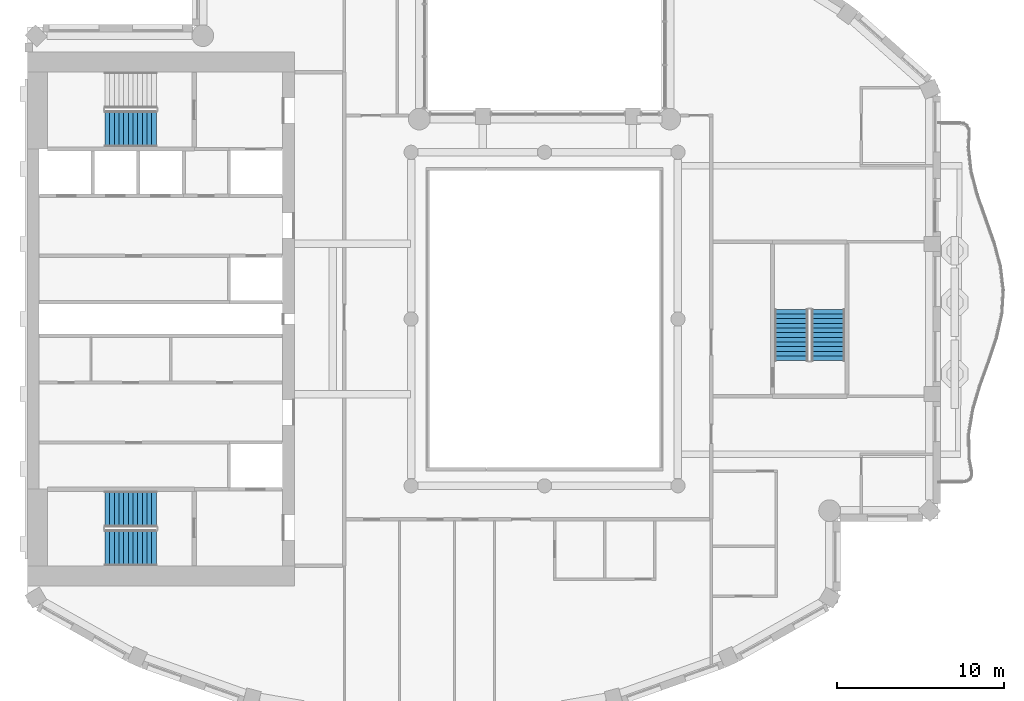
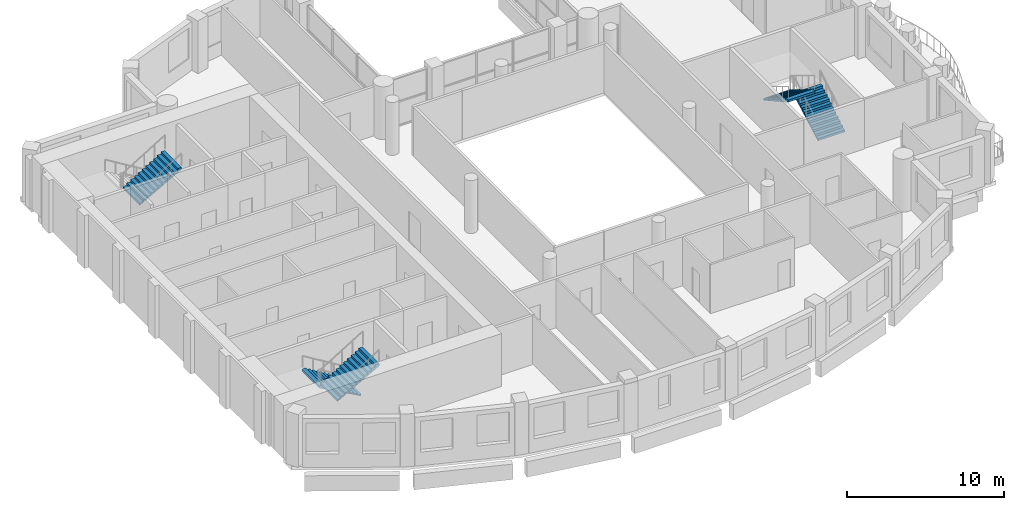
# One storey, part 8 of 14: 5 stair flights, 3 elements without a shape of their own.
"""IFC4 building model written with IfcOpenShell, lengths in metres."""

from ifc_helpers import new_model, si_unit, direction, frame, origin, place, context, subcontext, project, spatial, triangles, material, type_object, element, aggregate, save


model = new_model("IFC4")

# Units and contexts
model_context = context("Model", 3, precision=1e-05, world=origin(), true_north=direction((0.0, 1.0)))
body_context = subcontext(model_context, "Body", "Model", "MODEL_VIEW")
ifc_project = project(units=[si_unit("LENGTHUNIT", "METRE"), si_unit("AREAUNIT", "SQUARE_METRE"), si_unit("VOLUMEUNIT", "CUBIC_METRE"), si_unit("PLANEANGLEUNIT", "RADIAN"), si_unit("MASSUNIT", "GRAM", prefix="KILO")], contexts=[model_context])

# Site, building, storey
site_placement = place(None, origin())
site = spatial("IfcSite", under=ifc_project, at=site_placement, CompositionType="ELEMENT")
building_placement = place(site_placement, origin())
building = spatial("IfcBuilding", under=site, at=building_placement, Name="Cypress Arch Tower", CompositionType="ELEMENT")
storey_placement = place(building_placement, frame((0.0, 0.0, 280.300048828125)))
storey = spatial("IfcBuildingStorey", under=building, at=storey_placement, Name="L63", CompositionType="ELEMENT", Elevation=280.300048828125)

# Stair, stair flights
ifc_material_1 = material(Name="Concrete C40/50", Category="concrete")
stair_type_1 = type_object("IfcStairType", Name="Exit stair ES1708-200", PredefinedType="HALF_TURN_STAIR", material=ifc_material_1)
stair_1_placement = place(storey_placement, origin())
stair_1 = element("IfcStair", 1, at=stair_1_placement, inside=storey, type_object=stair_type_1, Name="L63 Exit stair C", PredefinedType="HALF_TURN_STAIR")
ifc_material_2 = material(Name="Concrete C40/50", Category="concrete")
stair_flight_type_1 = type_object("IfcStairFlightType", Name="Exit stair flight ES1708-200", PredefinedType="STRAIGHT", material=ifc_material_2)
stair_flight_1_placement = place(storey_placement, frame((18.0, -2.5, 0.0), z_axis=(0.0, 0.0, 1.0), x_axis=(0.0, 1.0, 0.0)))
stair_flight_1 = element("IfcStairFlight", 2, at=stair_flight_1_placement, type_object=stair_flight_type_1, Name="C flight 1", NumberOfRisers=12, NumberOfTreads=11, PredefinedType="STRAIGHT", RiserHeight=0.170833333, TreadLength=0.28, context=body_context, shape_type="Tessellation", body=[
    triangles([(0.0, -1.0, 0.0), (0.0, -1.0, 0.1708984375), (0.280029296875, -1.0, 0.1708984375), (0.280029296875, -1.0, 0.341552734375), (0.56005859375, -1.0, 0.341552734375), (0.56005859375, -1.0, 0.512451171875), (0.840087890625, -1.0, 0.512451171875), (0.840087890625, -1.0, 0.683349609375), (1.1201171875, -1.0, 0.683349609375), (1.1201171875, -1.0, 0.854248046875), (1.39990234375, -1.0, 0.854248046875), (1.39990234375, -1.0, 1.02490234375), (1.679931640625, -1.0, 1.02490234375), (1.679931640625, -1.0, 1.19580078125), (1.9599609375, -1.0, 1.19580078125), (1.9599609375, -1.0, 1.36669921875), (2.239990234375, -1.0, 1.36669921875), (2.239990234375, -1.0, 1.53759765625), (2.52001953125, -1.0, 1.53759765625), (2.52001953125, -1.0, 1.708251953125), (2.800048828125, -1.0, 1.708251953125), (2.800048828125, -1.0, 1.879150390625), (3.080078125, -1.0, 1.879150390625), (3.080078125, -1.0, 1.70361328125), (3.080078125, 1.0, 1.70361328125), (3.080078125, 1.0, 1.879150390625), (2.800048828125, 1.0, 1.879150390625), (2.800048828125, 1.0, 1.708251953125), (2.52001953125, 1.0, 1.708251953125), (2.52001953125, 1.0, 1.53759765625), (2.239990234375, 1.0, 1.53759765625), (2.239990234375, 1.0, 1.36669921875), (1.9599609375, 1.0, 1.36669921875), (1.9599609375, 1.0, 1.19580078125), (1.679931640625, 1.0, 1.19580078125), (1.679931640625, 1.0, 1.02490234375), (1.39990234375, 1.0, 1.02490234375), (1.39990234375, 1.0, 0.854248046875), (1.1201171875, 1.0, 0.854248046875), (1.1201171875, 1.0, 0.683349609375), (0.840087890625, 1.0, 0.683349609375), (0.840087890625, 1.0, 0.512451171875), (0.56005859375, 1.0, 0.512451171875), (0.56005859375, 1.0, 0.341552734375), (0.280029296875, 1.0, 0.341552734375), (0.280029296875, 1.0, 0.1708984375), (0.0, 1.0, 0.1708984375), (0.0, 1.0, 0.0), (3.080078125, 0.0, 1.879150390625), (3.080078125, 0.0, 1.70361328125), (2.800048828125, 0.0, 1.879150390625), (2.800048828125, 0.0, 1.708251953125), (2.52001953125, 0.0, 1.708251953125), (2.52001953125, 0.0, 1.53759765625), (2.239990234375, 0.0, 1.53759765625), (2.239990234375, 0.0, 1.36669921875), (1.9599609375, 0.0, 1.36669921875), (1.9599609375, 0.0, 1.19580078125), (1.679931640625, 0.0, 1.19580078125), (1.679931640625, 0.0, 1.02490234375), (1.39990234375, 0.0, 1.02490234375), (1.39990234375, 0.0, 0.854248046875), (1.1201171875, 0.0, 0.854248046875), (1.1201171875, 0.0, 0.683349609375), (0.840087890625, 0.0, 0.683349609375), (0.840087890625, 0.0, 0.512451171875), (0.56005859375, 0.0, 0.512451171875), (0.56005859375, 0.0, 0.341552734375), (0.280029296875, 0.0, 0.341552734375), (0.280029296875, 0.0, 0.1708984375), (0.0, 0.0, 0.1708984375), (0.0, 0.0, 0.0)], [[24, 23, 22], [11, 10, 9], [19, 18, 17], [17, 16, 15], [15, 14, 13], [9, 8, 7], [7, 6, 5], [3, 2, 1], [21, 20, 19], [13, 12, 11], [5, 4, 3], [24, 22, 21], [24, 21, 19], [24, 19, 17], [24, 17, 15], [24, 15, 13], [24, 13, 11], [24, 11, 9], [24, 9, 7], [24, 7, 5], [1, 24, 5], [5, 3, 1], [25, 27, 26], [38, 40, 39], [30, 32, 31], [32, 34, 33], [34, 36, 35], [40, 42, 41], [42, 44, 43], [46, 48, 47], [28, 30, 29], [36, 38, 37], [44, 46, 45], [25, 28, 27], [25, 30, 28], [25, 32, 30], [25, 34, 32], [25, 36, 34], [25, 38, 36], [25, 40, 38], [25, 42, 40], [25, 44, 42], [48, 44, 25], [44, 48, 46], [50, 49, 23], [50, 23, 24], [25, 26, 49], [25, 49, 50], [49, 51, 22], [49, 22, 23], [26, 27, 51], [26, 51, 49], [51, 52, 21], [51, 21, 22], [27, 28, 52], [27, 52, 51], [52, 53, 20], [52, 20, 21], [28, 29, 53], [28, 53, 52], [53, 54, 19], [53, 19, 20], [29, 30, 54], [29, 54, 53], [54, 55, 18], [54, 18, 19], [30, 31, 55], [30, 55, 54], [55, 56, 17], [55, 17, 18], [31, 32, 56], [31, 56, 55], [56, 57, 16], [56, 16, 17], [32, 33, 57], [32, 57, 56], [57, 58, 15], [57, 15, 16], [33, 34, 58], [33, 58, 57], [58, 59, 14], [58, 14, 15], [34, 35, 59], [34, 59, 58], [59, 60, 13], [59, 13, 14], [35, 36, 60], [35, 60, 59], [60, 61, 12], [60, 12, 13], [36, 37, 61], [36, 61, 60], [61, 62, 11], [61, 11, 12], [37, 38, 62], [37, 62, 61], [62, 63, 10], [62, 10, 11], [38, 39, 63], [38, 63, 62], [63, 64, 9], [63, 9, 10], [39, 40, 64], [39, 64, 63], [64, 65, 8], [64, 8, 9], [40, 41, 65], [40, 65, 64], [65, 66, 7], [65, 7, 8], [41, 42, 66], [41, 66, 65], [66, 67, 6], [66, 6, 7], [42, 43, 67], [42, 67, 66], [67, 68, 5], [67, 5, 6], [43, 44, 68], [43, 68, 67], [68, 69, 4], [68, 4, 5], [44, 45, 69], [44, 69, 68], [69, 70, 3], [69, 3, 4], [45, 46, 70], [45, 70, 69], [70, 71, 2], [70, 2, 3], [46, 47, 71], [46, 71, 70], [71, 72, 1], [71, 1, 2], [47, 48, 72], [47, 72, 71], [72, 50, 24], [72, 24, 1], [48, 25, 50], [48, 50, 72]], closed=True),
])
stair_flight_2_placement = place(storey_placement, frame((15.800048828125, 0.580078125, 2.050048828125), z_axis=(0.0, 0.0, 1.0), x_axis=(0.0, -1.0, 0.0)))
stair_flight_2 = element("IfcStairFlight", 3, at=stair_flight_2_placement, type_object=stair_flight_type_1, Name="C flight 2", NumberOfRisers=12, NumberOfTreads=11, PredefinedType="STRAIGHT", RiserHeight=0.170833333, TreadLength=0.28, context=body_context, shape_type="Tessellation", body=[
    triangles([(0.0, -1.0, 0.0), (0.0, -1.0, 0.1708984375), (0.280029296875, -1.0, 0.1708984375), (0.280029296875, -1.0, 0.341552734375), (0.56005859375, -1.0, 0.341552734375), (0.56005859375, -1.0, 0.512451171875), (0.840087890625, -1.0, 0.512451171875), (0.840087890625, -1.0, 0.683349609375), (1.1201171875, -1.0, 0.683349609375), (1.1201171875, -1.0, 0.854248046875), (1.39990234375, -1.0, 0.854248046875), (1.39990234375, -1.0, 1.02490234375), (1.679931640625, -1.0, 1.02490234375), (1.679931640625, -1.0, 1.19580078125), (1.9599609375, -1.0, 1.19580078125), (1.9599609375, -1.0, 1.36669921875), (2.239990234375, -1.0, 1.36669921875), (2.239990234375, -1.0, 1.53759765625), (2.52001953125, -1.0, 1.53759765625), (2.52001953125, -1.0, 1.708251953125), (2.800048828125, -1.0, 1.708251953125), (2.800048828125, -1.0, 1.879150390625), (3.080078125, -1.0, 1.879150390625), (3.080078125, -1.0, 1.70361328125), (3.080078125, 1.0, 1.70361328125), (3.080078125, 1.0, 1.879150390625), (2.800048828125, 1.0, 1.879150390625), (2.800048828125, 1.0, 1.708251953125), (2.52001953125, 1.0, 1.708251953125), (2.52001953125, 1.0, 1.53759765625), (2.239990234375, 1.0, 1.53759765625), (2.239990234375, 1.0, 1.36669921875), (1.9599609375, 1.0, 1.36669921875), (1.9599609375, 1.0, 1.19580078125), (1.679931640625, 1.0, 1.19580078125), (1.679931640625, 1.0, 1.02490234375), (1.39990234375, 1.0, 1.02490234375), (1.39990234375, 1.0, 0.854248046875), (1.1201171875, 1.0, 0.854248046875), (1.1201171875, 1.0, 0.683349609375), (0.840087890625, 1.0, 0.683349609375), (0.840087890625, 1.0, 0.512451171875), (0.56005859375, 1.0, 0.512451171875), (0.56005859375, 1.0, 0.341552734375), (0.280029296875, 1.0, 0.341552734375), (0.280029296875, 1.0, 0.1708984375), (0.0, 1.0, 0.1708984375), (0.0, 1.0, 0.0), (3.080078125, 0.0, 1.879150390625), (3.080078125, 0.0, 1.70361328125), (2.800048828125, 0.0, 1.879150390625), (2.800048828125, 0.0, 1.708251953125), (2.52001953125, 0.0, 1.708251953125), (2.52001953125, 0.0, 1.53759765625), (2.239990234375, 0.0, 1.53759765625), (2.239990234375, 0.0, 1.36669921875), (1.9599609375, 0.0, 1.36669921875), (1.9599609375, 0.0, 1.19580078125), (1.679931640625, 0.0, 1.19580078125), (1.679931640625, 0.0, 1.02490234375), (1.39990234375, 0.0, 1.02490234375), (1.39990234375, 0.0, 0.854248046875), (1.1201171875, 0.0, 0.854248046875), (1.1201171875, 0.0, 0.683349609375), (0.840087890625, 0.0, 0.683349609375), (0.840087890625, 0.0, 0.512451171875), (0.56005859375, 0.0, 0.512451171875), (0.56005859375, 0.0, 0.341552734375), (0.280029296875, 0.0, 0.341552734375), (0.280029296875, 0.0, 0.1708984375), (0.0, 0.0, 0.1708984375), (0.0, 0.0, 0.0)], [[24, 23, 22], [11, 10, 9], [19, 18, 17], [17, 16, 15], [15, 14, 13], [9, 8, 7], [7, 6, 5], [3, 2, 1], [21, 20, 19], [13, 12, 11], [5, 4, 3], [24, 22, 21], [24, 21, 19], [24, 19, 17], [24, 17, 15], [24, 15, 13], [24, 13, 11], [24, 11, 9], [24, 9, 7], [24, 7, 5], [1, 24, 5], [5, 3, 1], [25, 27, 26], [38, 40, 39], [30, 32, 31], [32, 34, 33], [34, 36, 35], [40, 42, 41], [42, 44, 43], [46, 48, 47], [28, 30, 29], [36, 38, 37], [44, 46, 45], [25, 28, 27], [25, 30, 28], [25, 32, 30], [25, 34, 32], [25, 36, 34], [25, 38, 36], [25, 40, 38], [25, 42, 40], [25, 44, 42], [48, 44, 25], [44, 48, 46], [50, 49, 23], [50, 23, 24], [25, 26, 49], [25, 49, 50], [49, 51, 22], [49, 22, 23], [26, 27, 51], [26, 51, 49], [51, 52, 21], [51, 21, 22], [27, 28, 52], [27, 52, 51], [52, 53, 20], [52, 20, 21], [28, 29, 53], [28, 53, 52], [53, 54, 19], [53, 19, 20], [29, 30, 54], [29, 54, 53], [54, 55, 18], [54, 18, 19], [30, 31, 55], [30, 55, 54], [55, 56, 17], [55, 17, 18], [31, 32, 56], [31, 56, 55], [56, 57, 16], [56, 16, 17], [32, 33, 57], [32, 57, 56], [57, 58, 15], [57, 15, 16], [33, 34, 58], [33, 58, 57], [58, 59, 14], [58, 14, 15], [34, 35, 59], [34, 59, 58], [59, 60, 13], [59, 13, 14], [35, 36, 60], [35, 60, 59], [60, 61, 12], [60, 12, 13], [36, 37, 61], [36, 61, 60], [61, 62, 11], [61, 11, 12], [37, 38, 62], [37, 62, 61], [62, 63, 10], [62, 10, 11], [38, 39, 63], [38, 63, 62], [63, 64, 9], [63, 9, 10], [39, 40, 64], [39, 64, 63], [64, 65, 8], [64, 8, 9], [40, 41, 65], [40, 65, 64], [65, 66, 7], [65, 7, 8], [41, 42, 66], [41, 66, 65], [66, 67, 6], [66, 6, 7], [42, 43, 67], [42, 67, 66], [67, 68, 5], [67, 5, 6], [43, 44, 68], [43, 68, 67], [68, 69, 4], [68, 4, 5], [44, 45, 69], [44, 69, 68], [69, 70, 3], [69, 3, 4], [45, 46, 70], [45, 70, 69], [70, 71, 2], [70, 2, 3], [46, 47, 71], [46, 71, 70], [71, 72, 1], [71, 1, 2], [47, 48, 72], [47, 72, 71], [72, 50, 24], [72, 24, 1], [48, 25, 50], [48, 50, 72]], closed=True),
])
aggregate(stair_1, [stair_flight_1, stair_flight_2])

ifc_material_3 = material(Name="Concrete C40/50", Category="concrete")
stair_type_2 = type_object("IfcStairType", Name="Exit stair ES1708-215", PredefinedType="HALF_TURN_STAIR", material=ifc_material_3)
stair_2_placement = place(storey_placement, origin())
stair_2 = element("IfcStair", 4, at=stair_2_placement, inside=storey, type_object=stair_type_2, Name="L63 Exit stair A", PredefinedType="HALF_TURN_STAIR")
ifc_material_4 = material(Name="Concrete C40/50", Category="concrete")
stair_flight_type_2 = type_object("IfcStairFlightType", Name="Exit stair flight ES1708-215", PredefinedType="STRAIGHT", material=ifc_material_4)
stair_flight_3_placement = place(storey_placement, frame((-22.27490234375, -11.39990234375, 0.0), z_axis=(0.0, 0.0, 1.0), x_axis=(-1.0, 0.0, 0.0)))
stair_flight_3 = element("IfcStairFlight", 5, at=stair_flight_3_placement, type_object=stair_flight_type_2, Name="A flight 1", NumberOfRisers=12, NumberOfTreads=11, PredefinedType="STRAIGHT", RiserHeight=0.170833333, TreadLength=0.28, context=body_context, shape_type="Tessellation", body=[
    triangles([(0.0, -1.074951171875, 0.0), (0.000244140625, -1.074951171875, 0.01904296875), (0.000244140625, -1.074951171875, 0.0380859375), (0.00048828125, -1.074951171875, 0.056884765625), (0.00048828125, -1.074951171875, 0.075927734375), (0.00048828125, -1.074951171875, 0.094970703125), (0.00048828125, -1.074951171875, 0.114013671875), (0.000244140625, -1.074951171875, 0.1328125), (0.000244140625, -1.074951171875, 0.15185546875), (0.0, -1.074951171875, 0.1708984375), (0.280029296875, -1.074951171875, 0.1708984375), (0.280029296875, -1.074951171875, 0.341552734375), (0.56005859375, -1.074951171875, 0.341552734375), (0.56005859375, -1.074951171875, 0.512451171875), (0.840087890625, -1.074951171875, 0.512451171875), (0.840087890625, -1.074951171875, 0.683349609375), (1.1201171875, -1.074951171875, 0.683349609375), (1.1201171875, -1.074951171875, 0.854248046875), (1.39990234375, -1.074951171875, 0.854248046875), (1.39990234375, -1.074951171875, 1.02490234375), (1.679931640625, -1.074951171875, 1.02490234375), (1.679931640625, -1.074951171875, 1.19580078125), (1.9599609375, -1.074951171875, 1.19580078125), (1.9599609375, -1.074951171875, 1.36669921875), (2.239990234375, -1.074951171875, 1.36669921875), (2.239990234375, -1.074951171875, 1.53759765625), (2.52001953125, -1.074951171875, 1.53759765625), (2.52001953125, -1.074951171875, 1.708251953125), (2.800048828125, -1.074951171875, 1.708251953125), (2.800048828125, -1.074951171875, 1.879150390625), (3.080078125, -1.074951171875, 1.879150390625), (3.079833984375, -1.074951171875, 1.859619140625), (3.079833984375, -1.074951171875, 1.840087890625), (3.07958984375, -1.074951171875, 1.820556640625), (3.07958984375, -1.074951171875, 1.801025390625), (3.07958984375, -1.074951171875, 1.78173828125), (3.07958984375, -1.074951171875, 1.76220703125), (3.079833984375, -1.074951171875, 1.74267578125), (3.079833984375, -1.074951171875, 1.72314453125), (3.080078125, -1.074951171875, 1.70361328125), (3.080078125, 1.074951171875, 1.70361328125), (3.079833984375, 1.074951171875, 1.72314453125), (3.079833984375, 1.074951171875, 1.74267578125), (3.07958984375, 1.074951171875, 1.76220703125), (3.07958984375, 1.074951171875, 1.78173828125), (3.07958984375, 1.074951171875, 1.801025390625), (3.07958984375, 1.074951171875, 1.820556640625), (3.079833984375, 1.074951171875, 1.840087890625), (3.079833984375, 1.074951171875, 1.859619140625), (3.080078125, 1.074951171875, 1.879150390625), (2.800048828125, 1.074951171875, 1.879150390625), (2.800048828125, 1.074951171875, 1.708251953125), (2.52001953125, 1.074951171875, 1.708251953125), (2.52001953125, 1.074951171875, 1.53759765625), (2.239990234375, 1.074951171875, 1.53759765625), (2.239990234375, 1.074951171875, 1.36669921875), (1.9599609375, 1.074951171875, 1.36669921875), (1.9599609375, 1.074951171875, 1.19580078125), (1.679931640625, 1.074951171875, 1.19580078125), (1.679931640625, 1.074951171875, 1.02490234375), (1.39990234375, 1.074951171875, 1.02490234375), (1.39990234375, 1.074951171875, 0.854248046875), (1.1201171875, 1.074951171875, 0.854248046875), (1.1201171875, 1.074951171875, 0.683349609375), (0.840087890625, 1.074951171875, 0.683349609375), (0.840087890625, 1.074951171875, 0.512451171875), (0.56005859375, 1.074951171875, 0.512451171875), (0.56005859375, 1.074951171875, 0.341552734375), (0.280029296875, 1.074951171875, 0.341552734375), (0.280029296875, 1.074951171875, 0.1708984375), (0.0, 1.074951171875, 0.1708984375), (0.000244140625, 1.074951171875, 0.15185546875), (0.000244140625, 1.074951171875, 0.1328125), (0.00048828125, 1.074951171875, 0.114013671875), (0.00048828125, 1.074951171875, 0.094970703125), (0.00048828125, 1.074951171875, 0.075927734375), (0.00048828125, 1.074951171875, 0.056884765625), (0.000244140625, 1.074951171875, 0.0380859375), (0.000244140625, 1.074951171875, 0.01904296875), (0.0, 1.074951171875, 0.0)], [[40, 39, 30], [39, 38, 30], [38, 37, 30], [37, 36, 30], [36, 35, 30], [35, 34, 30], [34, 33, 30], [33, 32, 30], [32, 31, 30], [19, 18, 17], [27, 26, 25], [25, 24, 23], [23, 22, 21], [17, 16, 15], [15, 14, 13], [10, 9, 11], [9, 8, 11], [8, 7, 11], [7, 6, 11], [6, 5, 11], [5, 4, 11], [4, 3, 11], [3, 2, 11], [2, 1, 11], [29, 28, 27], [21, 20, 19], [13, 12, 11], [40, 30, 29], [40, 29, 27], [40, 27, 25], [40, 25, 23], [40, 23, 21], [40, 21, 19], [40, 19, 17], [40, 17, 15], [40, 15, 13], [1, 40, 13], [13, 11, 1], [41, 51, 42], [42, 51, 43], [43, 51, 44], [44, 51, 45], [45, 51, 46], [46, 51, 47], [47, 51, 48], [48, 51, 49], [49, 51, 50], [62, 64, 63], [54, 56, 55], [56, 58, 57], [58, 60, 59], [64, 66, 65], [66, 68, 67], [71, 70, 72], [72, 70, 73], [73, 70, 74], [74, 70, 75], [75, 70, 76], [76, 70, 77], [77, 70, 78], [78, 70, 79], [79, 70, 80], [52, 54, 53], [60, 62, 61], [68, 70, 69], [41, 52, 51], [41, 54, 52], [41, 56, 54], [41, 58, 56], [41, 60, 58], [41, 62, 60], [41, 64, 62], [41, 66, 64], [41, 68, 66], [80, 68, 41], [68, 80, 70], [41, 42, 39], [41, 39, 40], [42, 43, 38], [42, 38, 39], [43, 44, 37], [43, 37, 38], [44, 45, 36], [44, 36, 37], [45, 46, 35], [45, 35, 36], [46, 47, 34], [46, 34, 35], [47, 48, 33], [47, 33, 34], [48, 49, 32], [48, 32, 33], [49, 50, 31], [49, 31, 32], [50, 51, 30], [50, 30, 31], [51, 52, 29], [51, 29, 30], [52, 53, 28], [52, 28, 29], [53, 54, 27], [53, 27, 28], [54, 55, 26], [54, 26, 27], [55, 56, 25], [55, 25, 26], [56, 57, 24], [56, 24, 25], [57, 58, 23], [57, 23, 24], [58, 59, 22], [58, 22, 23], [59, 60, 21], [59, 21, 22], [60, 61, 20], [60, 20, 21], [61, 62, 19], [61, 19, 20], [62, 63, 18], [62, 18, 19], [63, 64, 17], [63, 17, 18], [64, 65, 16], [64, 16, 17], [65, 66, 15], [65, 15, 16], [66, 67, 14], [66, 14, 15], [67, 68, 13], [67, 13, 14], [68, 69, 12], [68, 12, 13], [69, 70, 11], [69, 11, 12], [70, 71, 10], [70, 10, 11], [71, 72, 9], [71, 9, 10], [72, 73, 8], [72, 8, 9], [73, 74, 7], [73, 7, 8], [74, 75, 6], [74, 6, 7], [75, 76, 5], [75, 5, 6], [76, 77, 4], [76, 4, 5], [77, 78, 3], [77, 3, 4], [78, 79, 2], [78, 2, 3], [79, 80, 1], [79, 1, 2], [80, 41, 40], [80, 40, 1]], closed=True),
])
stair_flight_4_placement = place(storey_placement, frame((-25.35498046875, -13.72509765625, 2.050048828125), z_axis=(0.0, 0.0, 1.0), x_axis=(1.0, 0.0, 0.0)))
stair_flight_4 = element("IfcStairFlight", 6, at=stair_flight_4_placement, type_object=stair_flight_type_2, Name="A flight 2", NumberOfRisers=12, NumberOfTreads=11, PredefinedType="STRAIGHT", RiserHeight=0.170833333, TreadLength=0.28, context=body_context, shape_type="Tessellation", body=[
    triangles([(0.0, -1.074951171875, 0.0), (0.000244140625, -1.074951171875, 0.01904296875), (0.000244140625, -1.074951171875, 0.0380859375), (0.00048828125, -1.074951171875, 0.056884765625), (0.00048828125, -1.074951171875, 0.075927734375), (0.00048828125, -1.074951171875, 0.094970703125), (0.00048828125, -1.074951171875, 0.114013671875), (0.000244140625, -1.074951171875, 0.1328125), (0.000244140625, -1.074951171875, 0.15185546875), (0.0, -1.074951171875, 0.1708984375), (0.280029296875, -1.074951171875, 0.1708984375), (0.280029296875, -1.074951171875, 0.341552734375), (0.56005859375, -1.074951171875, 0.341552734375), (0.56005859375, -1.074951171875, 0.512451171875), (0.840087890625, -1.074951171875, 0.512451171875), (0.840087890625, -1.074951171875, 0.683349609375), (1.1201171875, -1.074951171875, 0.683349609375), (1.1201171875, -1.074951171875, 0.854248046875), (1.39990234375, -1.074951171875, 0.854248046875), (1.39990234375, -1.074951171875, 1.02490234375), (1.679931640625, -1.074951171875, 1.02490234375), (1.679931640625, -1.074951171875, 1.19580078125), (1.9599609375, -1.074951171875, 1.19580078125), (1.9599609375, -1.074951171875, 1.36669921875), (2.239990234375, -1.074951171875, 1.36669921875), (2.239990234375, -1.074951171875, 1.53759765625), (2.52001953125, -1.074951171875, 1.53759765625), (2.52001953125, -1.074951171875, 1.708251953125), (2.800048828125, -1.074951171875, 1.708251953125), (2.800048828125, -1.074951171875, 1.879150390625), (3.080078125, -1.074951171875, 1.879150390625), (3.079833984375, -1.074951171875, 1.859619140625), (3.079833984375, -1.074951171875, 1.840087890625), (3.07958984375, -1.074951171875, 1.820556640625), (3.07958984375, -1.074951171875, 1.801025390625), (3.07958984375, -1.074951171875, 1.78173828125), (3.07958984375, -1.074951171875, 1.76220703125), (3.079833984375, -1.074951171875, 1.74267578125), (3.079833984375, -1.074951171875, 1.72314453125), (3.080078125, -1.074951171875, 1.70361328125), (3.080078125, 1.074951171875, 1.70361328125), (3.079833984375, 1.074951171875, 1.72314453125), (3.079833984375, 1.074951171875, 1.74267578125), (3.07958984375, 1.074951171875, 1.76220703125), (3.07958984375, 1.074951171875, 1.78173828125), (3.07958984375, 1.074951171875, 1.801025390625), (3.07958984375, 1.074951171875, 1.820556640625), (3.079833984375, 1.074951171875, 1.840087890625), (3.079833984375, 1.074951171875, 1.859619140625), (3.080078125, 1.074951171875, 1.879150390625), (2.800048828125, 1.074951171875, 1.879150390625), (2.800048828125, 1.074951171875, 1.708251953125), (2.52001953125, 1.074951171875, 1.708251953125), (2.52001953125, 1.074951171875, 1.53759765625), (2.239990234375, 1.074951171875, 1.53759765625), (2.239990234375, 1.074951171875, 1.36669921875), (1.9599609375, 1.074951171875, 1.36669921875), (1.9599609375, 1.074951171875, 1.19580078125), (1.679931640625, 1.074951171875, 1.19580078125), (1.679931640625, 1.074951171875, 1.02490234375), (1.39990234375, 1.074951171875, 1.02490234375), (1.39990234375, 1.074951171875, 0.854248046875), (1.1201171875, 1.074951171875, 0.854248046875), (1.1201171875, 1.074951171875, 0.683349609375), (0.840087890625, 1.074951171875, 0.683349609375), (0.840087890625, 1.074951171875, 0.512451171875), (0.56005859375, 1.074951171875, 0.512451171875), (0.56005859375, 1.074951171875, 0.341552734375), (0.280029296875, 1.074951171875, 0.341552734375), (0.280029296875, 1.074951171875, 0.1708984375), (0.0, 1.074951171875, 0.1708984375), (0.000244140625, 1.074951171875, 0.15185546875), (0.000244140625, 1.074951171875, 0.1328125), (0.00048828125, 1.074951171875, 0.114013671875), (0.00048828125, 1.074951171875, 0.094970703125), (0.00048828125, 1.074951171875, 0.075927734375), (0.00048828125, 1.074951171875, 0.056884765625), (0.000244140625, 1.074951171875, 0.0380859375), (0.000244140625, 1.074951171875, 0.01904296875), (0.0, 1.074951171875, 0.0)], [[40, 39, 30], [39, 38, 30], [38, 37, 30], [37, 36, 30], [36, 35, 30], [35, 34, 30], [34, 33, 30], [33, 32, 30], [32, 31, 30], [19, 18, 17], [27, 26, 25], [25, 24, 23], [23, 22, 21], [17, 16, 15], [15, 14, 13], [10, 9, 11], [9, 8, 11], [8, 7, 11], [7, 6, 11], [6, 5, 11], [5, 4, 11], [4, 3, 11], [3, 2, 11], [2, 1, 11], [29, 28, 27], [21, 20, 19], [13, 12, 11], [40, 30, 29], [40, 29, 27], [40, 27, 25], [40, 25, 23], [40, 23, 21], [40, 21, 19], [40, 19, 17], [40, 17, 15], [40, 15, 13], [1, 40, 13], [13, 11, 1], [41, 51, 42], [42, 51, 43], [43, 51, 44], [44, 51, 45], [45, 51, 46], [46, 51, 47], [47, 51, 48], [48, 51, 49], [49, 51, 50], [62, 64, 63], [54, 56, 55], [56, 58, 57], [58, 60, 59], [64, 66, 65], [66, 68, 67], [71, 70, 72], [72, 70, 73], [73, 70, 74], [74, 70, 75], [75, 70, 76], [76, 70, 77], [77, 70, 78], [78, 70, 79], [79, 70, 80], [52, 54, 53], [60, 62, 61], [68, 70, 69], [41, 52, 51], [41, 54, 52], [41, 56, 54], [41, 58, 56], [41, 60, 58], [41, 62, 60], [41, 64, 62], [41, 66, 64], [41, 68, 66], [80, 68, 41], [68, 80, 70], [41, 42, 39], [41, 39, 40], [42, 43, 38], [42, 38, 39], [43, 44, 37], [43, 37, 38], [44, 45, 36], [44, 36, 37], [45, 46, 35], [45, 35, 36], [46, 47, 34], [46, 34, 35], [47, 48, 33], [47, 33, 34], [48, 49, 32], [48, 32, 33], [49, 50, 31], [49, 31, 32], [50, 51, 30], [50, 30, 31], [51, 52, 29], [51, 29, 30], [52, 53, 28], [52, 28, 29], [53, 54, 27], [53, 27, 28], [54, 55, 26], [54, 26, 27], [55, 56, 25], [55, 25, 26], [56, 57, 24], [56, 24, 25], [57, 58, 23], [57, 23, 24], [58, 59, 22], [58, 22, 23], [59, 60, 21], [59, 21, 22], [60, 61, 20], [60, 20, 21], [61, 62, 19], [61, 19, 20], [62, 63, 18], [62, 18, 19], [63, 64, 17], [63, 17, 18], [64, 65, 16], [64, 16, 17], [65, 66, 15], [65, 15, 16], [66, 67, 14], [66, 14, 15], [67, 68, 13], [67, 13, 14], [68, 69, 12], [68, 12, 13], [69, 70, 11], [69, 11, 12], [70, 71, 10], [70, 10, 11], [71, 72, 9], [71, 9, 10], [72, 73, 8], [72, 8, 9], [73, 74, 7], [73, 7, 8], [74, 75, 6], [74, 6, 7], [75, 76, 5], [75, 5, 6], [76, 77, 4], [76, 4, 5], [77, 78, 3], [77, 3, 4], [78, 79, 2], [78, 2, 3], [79, 80, 1], [79, 1, 2], [80, 41, 40], [80, 40, 1]], closed=True),
])
aggregate(stair_2, [stair_flight_3, stair_flight_4])

# Stair, stair flight
stair_3_placement = place(storey_placement, origin())
stair_3 = element("IfcStair", 7, at=stair_3_placement, inside=storey, type_object=stair_type_2, Name="L63 Exit stair B", PredefinedType="HALF_TURN_STAIR")
stair_flight_5_placement = place(storey_placement, frame((-25.35498046875, 11.39990234375, 2.050048828125), z_axis=(0.0, 0.0, 1.0), x_axis=(1.0, 0.0, 0.0)))
stair_flight_5 = element("IfcStairFlight", 8, at=stair_flight_5_placement, type_object=stair_flight_type_2, Name="B flight 2", NumberOfRisers=12, NumberOfTreads=11, PredefinedType="STRAIGHT", RiserHeight=0.170833333, TreadLength=0.28, context=body_context, shape_type="Tessellation", body=[
    triangles([(0.0, -1.074951171875, 0.0), (0.000244140625, -1.074951171875, 0.01904296875), (0.000244140625, -1.074951171875, 0.0380859375), (0.00048828125, -1.074951171875, 0.056884765625), (0.00048828125, -1.074951171875, 0.075927734375), (0.00048828125, -1.074951171875, 0.094970703125), (0.00048828125, -1.074951171875, 0.114013671875), (0.000244140625, -1.074951171875, 0.1328125), (0.000244140625, -1.074951171875, 0.15185546875), (0.0, -1.074951171875, 0.1708984375), (0.280029296875, -1.074951171875, 0.1708984375), (0.280029296875, -1.074951171875, 0.341552734375), (0.56005859375, -1.074951171875, 0.341552734375), (0.56005859375, -1.074951171875, 0.512451171875), (0.840087890625, -1.074951171875, 0.512451171875), (0.840087890625, -1.074951171875, 0.683349609375), (1.1201171875, -1.074951171875, 0.683349609375), (1.1201171875, -1.074951171875, 0.854248046875), (1.39990234375, -1.074951171875, 0.854248046875), (1.39990234375, -1.074951171875, 1.02490234375), (1.679931640625, -1.074951171875, 1.02490234375), (1.679931640625, -1.074951171875, 1.19580078125), (1.9599609375, -1.074951171875, 1.19580078125), (1.9599609375, -1.074951171875, 1.36669921875), (2.239990234375, -1.074951171875, 1.36669921875), (2.239990234375, -1.074951171875, 1.53759765625), (2.52001953125, -1.074951171875, 1.53759765625), (2.52001953125, -1.074951171875, 1.708251953125), (2.800048828125, -1.074951171875, 1.708251953125), (2.800048828125, -1.074951171875, 1.879150390625), (3.080078125, -1.074951171875, 1.879150390625), (3.079833984375, -1.074951171875, 1.859619140625), (3.079833984375, -1.074951171875, 1.840087890625), (3.07958984375, -1.074951171875, 1.820556640625), (3.07958984375, -1.074951171875, 1.801025390625), (3.07958984375, -1.074951171875, 1.78173828125), (3.07958984375, -1.074951171875, 1.76220703125), (3.079833984375, -1.074951171875, 1.74267578125), (3.079833984375, -1.074951171875, 1.72314453125), (3.080078125, -1.074951171875, 1.70361328125), (3.080078125, 1.074951171875, 1.70361328125), (3.079833984375, 1.074951171875, 1.72314453125), (3.079833984375, 1.074951171875, 1.74267578125), (3.07958984375, 1.074951171875, 1.76220703125), (3.07958984375, 1.074951171875, 1.78173828125), (3.07958984375, 1.074951171875, 1.801025390625), (3.07958984375, 1.074951171875, 1.820556640625), (3.079833984375, 1.074951171875, 1.840087890625), (3.079833984375, 1.074951171875, 1.859619140625), (3.080078125, 1.074951171875, 1.879150390625), (2.800048828125, 1.074951171875, 1.879150390625), (2.800048828125, 1.074951171875, 1.708251953125), (2.52001953125, 1.074951171875, 1.708251953125), (2.52001953125, 1.074951171875, 1.53759765625), (2.239990234375, 1.074951171875, 1.53759765625), (2.239990234375, 1.074951171875, 1.36669921875), (1.9599609375, 1.074951171875, 1.36669921875), (1.9599609375, 1.074951171875, 1.19580078125), (1.679931640625, 1.074951171875, 1.19580078125), (1.679931640625, 1.074951171875, 1.02490234375), (1.39990234375, 1.074951171875, 1.02490234375), (1.39990234375, 1.074951171875, 0.854248046875), (1.1201171875, 1.074951171875, 0.854248046875), (1.1201171875, 1.074951171875, 0.683349609375), (0.840087890625, 1.074951171875, 0.683349609375), (0.840087890625, 1.074951171875, 0.512451171875), (0.56005859375, 1.074951171875, 0.512451171875), (0.56005859375, 1.074951171875, 0.341552734375), (0.280029296875, 1.074951171875, 0.341552734375), (0.280029296875, 1.074951171875, 0.1708984375), (0.0, 1.074951171875, 0.1708984375), (0.000244140625, 1.074951171875, 0.15185546875), (0.000244140625, 1.074951171875, 0.1328125), (0.00048828125, 1.074951171875, 0.114013671875), (0.00048828125, 1.074951171875, 0.094970703125), (0.00048828125, 1.074951171875, 0.075927734375), (0.00048828125, 1.074951171875, 0.056884765625), (0.000244140625, 1.074951171875, 0.0380859375), (0.000244140625, 1.074951171875, 0.01904296875), (0.0, 1.074951171875, 0.0)], [[40, 39, 30], [39, 38, 30], [38, 37, 30], [37, 36, 30], [36, 35, 30], [35, 34, 30], [34, 33, 30], [33, 32, 30], [32, 31, 30], [19, 18, 17], [27, 26, 25], [25, 24, 23], [23, 22, 21], [17, 16, 15], [15, 14, 13], [10, 9, 11], [9, 8, 11], [8, 7, 11], [7, 6, 11], [6, 5, 11], [5, 4, 11], [4, 3, 11], [3, 2, 11], [2, 1, 11], [29, 28, 27], [21, 20, 19], [13, 12, 11], [40, 30, 29], [40, 29, 27], [40, 27, 25], [40, 25, 23], [40, 23, 21], [40, 21, 19], [40, 19, 17], [40, 17, 15], [40, 15, 13], [1, 40, 13], [13, 11, 1], [41, 51, 42], [42, 51, 43], [43, 51, 44], [44, 51, 45], [45, 51, 46], [46, 51, 47], [47, 51, 48], [48, 51, 49], [49, 51, 50], [62, 64, 63], [54, 56, 55], [56, 58, 57], [58, 60, 59], [64, 66, 65], [66, 68, 67], [71, 70, 72], [72, 70, 73], [73, 70, 74], [74, 70, 75], [75, 70, 76], [76, 70, 77], [77, 70, 78], [78, 70, 79], [79, 70, 80], [52, 54, 53], [60, 62, 61], [68, 70, 69], [41, 52, 51], [41, 54, 52], [41, 56, 54], [41, 58, 56], [41, 60, 58], [41, 62, 60], [41, 64, 62], [41, 66, 64], [41, 68, 66], [80, 68, 41], [68, 80, 70], [41, 42, 39], [41, 39, 40], [42, 43, 38], [42, 38, 39], [43, 44, 37], [43, 37, 38], [44, 45, 36], [44, 36, 37], [45, 46, 35], [45, 35, 36], [46, 47, 34], [46, 34, 35], [47, 48, 33], [47, 33, 34], [48, 49, 32], [48, 32, 33], [49, 50, 31], [49, 31, 32], [50, 51, 30], [50, 30, 31], [51, 52, 29], [51, 29, 30], [52, 53, 28], [52, 28, 29], [53, 54, 27], [53, 27, 28], [54, 55, 26], [54, 26, 27], [55, 56, 25], [55, 25, 26], [56, 57, 24], [56, 24, 25], [57, 58, 23], [57, 23, 24], [58, 59, 22], [58, 22, 23], [59, 60, 21], [59, 21, 22], [60, 61, 20], [60, 20, 21], [61, 62, 19], [61, 19, 20], [62, 63, 18], [62, 18, 19], [63, 64, 17], [63, 17, 18], [64, 65, 16], [64, 16, 17], [65, 66, 15], [65, 15, 16], [66, 67, 14], [66, 14, 15], [67, 68, 13], [67, 13, 14], [68, 69, 12], [68, 12, 13], [69, 70, 11], [69, 11, 12], [70, 71, 10], [70, 10, 11], [71, 72, 9], [71, 9, 10], [72, 73, 8], [72, 8, 9], [73, 74, 7], [73, 7, 8], [74, 75, 6], [74, 6, 7], [75, 76, 5], [75, 5, 6], [76, 77, 4], [76, 4, 5], [77, 78, 3], [77, 3, 4], [78, 79, 2], [78, 2, 3], [79, 80, 1], [79, 1, 2], [80, 41, 40], [80, 40, 1]], closed=True),
])
aggregate(stair_3, [stair_flight_5])

save(model, "model.ifc")
